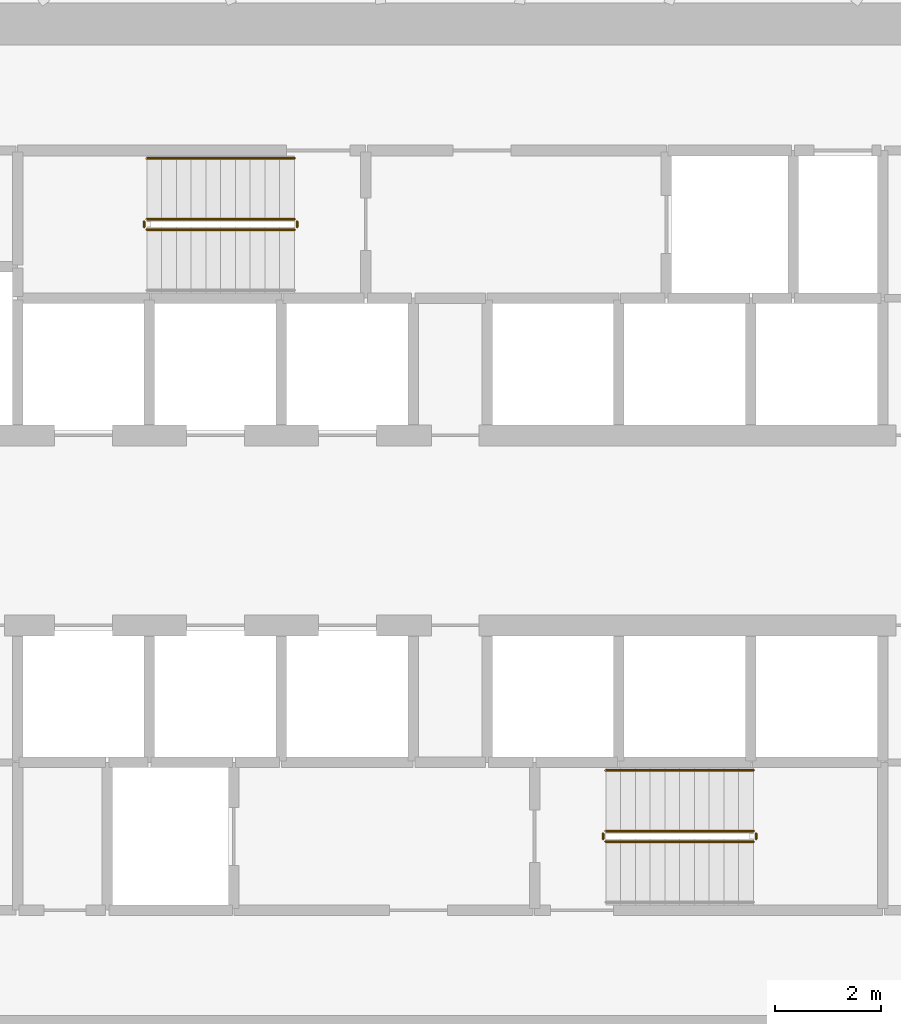
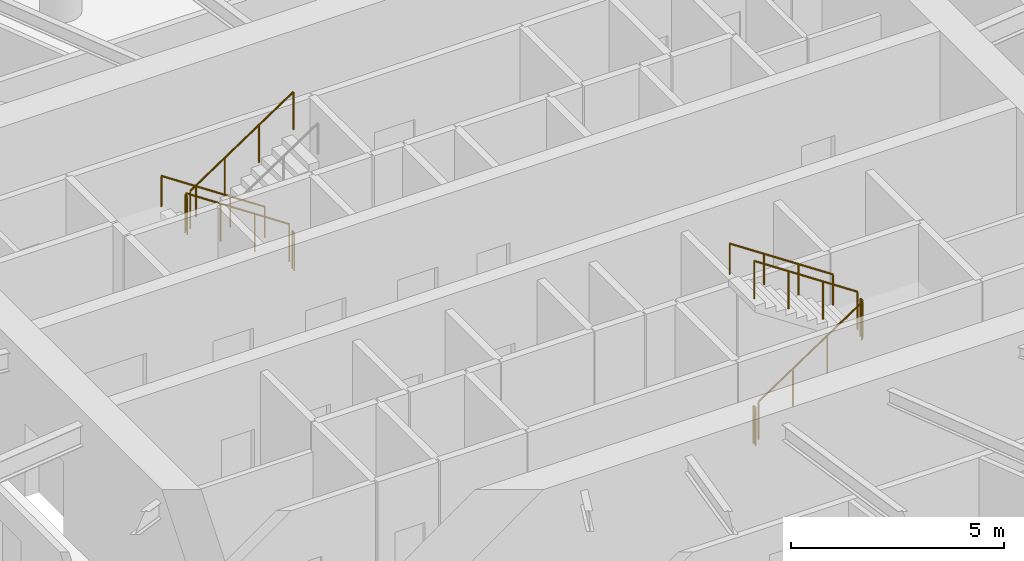
# One storey, part 16 of 17: 10 railings.
"""IFC4 building model written with IfcOpenShell, lengths in metres."""

from ifc_helpers import new_model, si_unit, direction, frame, origin, origin_2d, place, context, subcontext, project, spatial, circle, extrude, material, type_object, element, save


model = new_model("IFC4")

# Units and contexts
model_context = context("Model", 3, precision=1e-05, world=origin(), true_north=direction((0.0, 1.0)))
body_context = subcontext(model_context, "Body", "Model", "MODEL_VIEW")
ifc_project = project(units=[si_unit("LENGTHUNIT", "METRE"), si_unit("AREAUNIT", "SQUARE_METRE"), si_unit("VOLUMEUNIT", "CUBIC_METRE"), si_unit("PLANEANGLEUNIT", "RADIAN"), si_unit("MASSUNIT", "GRAM", prefix="KILO")], contexts=[model_context])

# Site, building, storey
site_placement = place(None, origin())
site = spatial("IfcSite", under=ifc_project, at=site_placement, CompositionType="ELEMENT")
building_placement = place(site_placement, origin())
building = spatial("IfcBuilding", under=site, at=building_placement, Name="Spindrift Exchange Tower", CompositionType="ELEMENT")
storey_placement = place(building_placement, frame((0.0, 0.0, 108.5)))
storey = spatial("IfcBuildingStorey", under=building, at=storey_placement, Name="L25", CompositionType="ELEMENT", Elevation=108.5)

# Railings
ifc_material_1 = material(Name="Steel balustrade", Category="steel")
railing_type_1 = type_object("IfcRailingType", Name="RL-STAIR-GUARD", PredefinedType="GUARDRAIL", material=ifc_material_1)
railing_1_placement = place(storey_placement, frame((49.050048828125, 53.89990234375, 0.186279296875)))
element("IfcRailing", 1, at=railing_1_placement, inside=storey, type_object=railing_type_1, Name="L25 ST1 stair guard 1", PredefinedType="GUARDRAIL", context=body_context, shape_type="SweptSolid", body=[
    extrude(circle(Radius=0.02392578125, at=origin_2d()), frame((0.0, 0.0, 1.076171875), z_axis=(-0.832452072856, 0.0, 0.554097055034), x_axis=(0.0, -1.0, 0.0)), (0.0, 0.0, 1.0), 3.363525390625),
    extrude(circle(Radius=0.02099609375, at=origin_2d()), origin(), (0.0, 0.0, 1.0), 1.052001953125),
    extrude(circle(Radius=0.02099609375, at=origin_2d()), frame((-0.933349609375, 0.0, 0.621337890625)), (0.0, 0.0, 1.0), 1.052001953125),
    extrude(circle(Radius=0.02099609375, at=origin_2d()), frame((-1.86669921875, 0.0, 1.242431640625)), (0.0, 0.0, 1.0), 1.052001953125),
    extrude(circle(Radius=0.02099609375, at=origin_2d()), frame((-2.800048828125, 0.0, 1.86376953125)), (0.0, 0.0, 1.0), 1.052001953125),
])
railing_2_placement = place(storey_placement, frame((46.199951171875, 53.85009765625, 2.050048828125)))
element("IfcRailing", 2, at=railing_2_placement, inside=storey, type_object=railing_type_1, Name="L25 ST1 stair guard 2", PredefinedType="GUARDRAIL", context=body_context, shape_type="SweptSolid", body=[
    extrude(circle(Radius=0.02392578125, at=origin_2d()), frame((0.0, 0.0, 1.076171875), z_axis=(0.0, -1.0, 0.0), x_axis=(1.0, 0.0, 0.0)), (0.0, 0.0, 1.0), 0.10009765625),
    extrude(circle(Radius=0.02099609375, at=origin_2d()), origin(), (0.0, 0.0, 1.0), 1.052001953125),
    extrude(circle(Radius=0.02099609375, at=origin_2d()), frame((0.0, -0.10009765625, 0.0)), (0.0, 0.0, 1.0), 1.052001953125),
])
railing_3_placement = place(storey_placement, frame((46.25, 53.699951171875, 2.236328125)))
element("IfcRailing", 3, at=railing_3_placement, inside=storey, type_object=railing_type_1, Name="L25 ST1 stair guard 3", PredefinedType="GUARDRAIL", context=body_context, shape_type="SweptSolid", body=[
    extrude(circle(Radius=0.02392578125, at=origin_2d()), frame((0.0, 0.0, 1.076171875), z_axis=(0.832452072856, 0.0, 0.554097055034), x_axis=(0.0, 1.0, 0.0)), (0.0, 0.0, 1.0), 3.363525390625),
    extrude(circle(Radius=0.02099609375, at=origin_2d()), origin(), (0.0, 0.0, 1.0), 1.052001953125),
    extrude(circle(Radius=0.02099609375, at=origin_2d()), frame((0.933349609375, 0.0, 0.621337890625)), (0.0, 0.0, 1.0), 1.052001953125),
    extrude(circle(Radius=0.02099609375, at=origin_2d()), frame((1.86669921875, 0.0, 1.242431640625)), (0.0, 0.0, 1.0), 1.052001953125),
    extrude(circle(Radius=0.02099609375, at=origin_2d()), frame((2.800048828125, 0.0, 1.86376953125)), (0.0, 0.0, 1.0), 1.052001953125),
])
railing_4_placement = place(storey_placement, frame((49.10009765625, 53.85009765625, 0.0)))
element("IfcRailing", 4, at=railing_4_placement, inside=storey, type_object=railing_type_1, Name="L25 ST1 stair guard 4", PredefinedType="GUARDRAIL", context=body_context, shape_type="SweptSolid", body=[
    extrude(circle(Radius=0.02392578125, at=origin_2d()), frame((0.0, 0.0, 1.076171875), z_axis=(0.0, -1.0, 0.0), x_axis=(1.0, 0.0, 0.0)), (0.0, 0.0, 1.0), 0.10009765625),
    extrude(circle(Radius=0.02099609375, at=origin_2d()), origin(), (0.0, 0.0, 1.0), 1.052001953125),
    extrude(circle(Radius=0.02099609375, at=origin_2d()), frame((0.0, -0.10009765625, 0.0)), (0.0, 0.0, 1.0), 1.052001953125),
])
railing_5_placement = place(storey_placement, frame((54.949951171875, 42.10009765625, 0.186279296875)))
element("IfcRailing", 5, at=railing_5_placement, inside=storey, type_object=railing_type_1, Name="L25 ST2 stair guard 1", PredefinedType="GUARDRAIL", context=body_context, shape_type="SweptSolid", body=[
    extrude(circle(Radius=0.02392578125, at=origin_2d()), frame((0.0, 0.0, 1.076171875), z_axis=(0.832452072856, 0.0, 0.554097055034), x_axis=(0.0, 1.0, 0.0)), (0.0, 0.0, 1.0), 3.363525390625),
    extrude(circle(Radius=0.02099609375, at=origin_2d()), origin(), (0.0, 0.0, 1.0), 1.052001953125),
    extrude(circle(Radius=0.02099609375, at=origin_2d()), frame((0.933349609375, 0.0, 0.621337890625)), (0.0, 0.0, 1.0), 1.052001953125),
    extrude(circle(Radius=0.02099609375, at=origin_2d()), frame((1.86669921875, 0.0, 1.242431640625)), (0.0, 0.0, 1.0), 1.052001953125),
    extrude(circle(Radius=0.02099609375, at=origin_2d()), frame((2.800048828125, 0.0, 1.86376953125)), (0.0, 0.0, 1.0), 1.052001953125),
])
railing_6_placement = place(storey_placement, frame((57.800048828125, 42.14990234375, 2.050048828125)))
element("IfcRailing", 6, at=railing_6_placement, inside=storey, type_object=railing_type_1, Name="L25 ST2 stair guard 2", PredefinedType="GUARDRAIL", context=body_context, shape_type="SweptSolid", body=[
    extrude(circle(Radius=0.02392578125, at=origin_2d()), frame((0.0, 0.0, 1.076171875), z_axis=(0.0, 1.0, 0.0), x_axis=(-1.0, 0.0, 0.0)), (0.0, 0.0, 1.0), 0.10009765625),
    extrude(circle(Radius=0.02099609375, at=origin_2d()), origin(), (0.0, 0.0, 1.0), 1.052001953125),
    extrude(circle(Radius=0.02099609375, at=origin_2d()), frame((0.0, 0.10009765625, 0.0)), (0.0, 0.0, 1.0), 1.052001953125),
])
railing_7_placement = place(storey_placement, frame((57.75, 42.300048828125, 2.236328125)))
element("IfcRailing", 7, at=railing_7_placement, inside=storey, type_object=railing_type_1, Name="L25 ST2 stair guard 3", PredefinedType="GUARDRAIL", context=body_context, shape_type="SweptSolid", body=[
    extrude(circle(Radius=0.02392578125, at=origin_2d()), frame((0.0, 0.0, 1.076171875), z_axis=(-0.832452072856, 0.0, 0.554097055034), x_axis=(0.0, -1.0, 0.0)), (0.0, 0.0, 1.0), 3.363525390625),
    extrude(circle(Radius=0.02099609375, at=origin_2d()), origin(), (0.0, 0.0, 1.0), 1.052001953125),
    extrude(circle(Radius=0.02099609375, at=origin_2d()), frame((-0.933349609375, 0.0, 0.621337890625)), (0.0, 0.0, 1.0), 1.052001953125),
    extrude(circle(Radius=0.02099609375, at=origin_2d()), frame((-1.86669921875, 0.0, 1.242431640625)), (0.0, 0.0, 1.0), 1.052001953125),
    extrude(circle(Radius=0.02099609375, at=origin_2d()), frame((-2.800048828125, 0.0, 1.86376953125)), (0.0, 0.0, 1.0), 1.052001953125),
])
railing_8_placement = place(storey_placement, frame((54.89990234375, 42.14990234375, 0.0)))
element("IfcRailing", 8, at=railing_8_placement, inside=storey, type_object=railing_type_1, Name="L25 ST2 stair guard 4", PredefinedType="GUARDRAIL", context=body_context, shape_type="SweptSolid", body=[
    extrude(circle(Radius=0.02392578125, at=origin_2d()), frame((0.0, 0.0, 1.076171875), z_axis=(0.0, 1.0, 0.0), x_axis=(-1.0, 0.0, 0.0)), (0.0, 0.0, 1.0), 0.10009765625),
    extrude(circle(Radius=0.02099609375, at=origin_2d()), origin(), (0.0, 0.0, 1.0), 1.052001953125),
    extrude(circle(Radius=0.02099609375, at=origin_2d()), frame((0.0, 0.10009765625, 0.0)), (0.0, 0.0, 1.0), 1.052001953125),
])
ifc_material_2 = material(Name="Steel tubular handrail", Category="steel")
railing_type_2 = type_object("IfcRailingType", Name="RL-STAIR-HAND", PredefinedType="HANDRAIL", material=ifc_material_2)
for number, where, name in (
    (9, (49.050048828125, 55.050048828125, 0.186279296875), "L25 ST1 stair handrail 1"),
    (10, (57.75, 43.449951171875, 2.236328125), "L25 ST2 stair handrail 2"),
):
    element("IfcRailing", number, at=place(storey_placement, frame(where)), inside=storey, type_object=railing_type_2, Name=name, PredefinedType="HANDRAIL", context=body_context, shape_type="SweptSolid", body=[
        extrude(circle(Radius=0.02392578125, at=origin_2d()), frame((0.0, 0.0, 0.8759765625), z_axis=(-0.832452072856, 0.0, 0.554097055034), x_axis=(0.0, -1.0, 0.0)), (0.0, 0.0, 1.0), 3.363525390625),
        extrude(circle(Radius=0.02099609375, at=origin_2d()), origin(), (0.0, 0.0, 1.0), 0.851806640625),
        extrude(circle(Radius=0.02099609375, at=origin_2d()), frame((-0.933349609375, 0.0, 0.621337890625)), (0.0, 0.0, 1.0), 0.851806640625),
        extrude(circle(Radius=0.02099609375, at=origin_2d()), frame((-1.86669921875, 0.0, 1.242431640625)), (0.0, 0.0, 1.0), 0.851806640625),
        extrude(circle(Radius=0.02099609375, at=origin_2d()), frame((-2.800048828125, 0.0, 1.86376953125)), (0.0, 0.0, 1.0), 0.851806640625),
    ])

save(model, "model.ifc")
